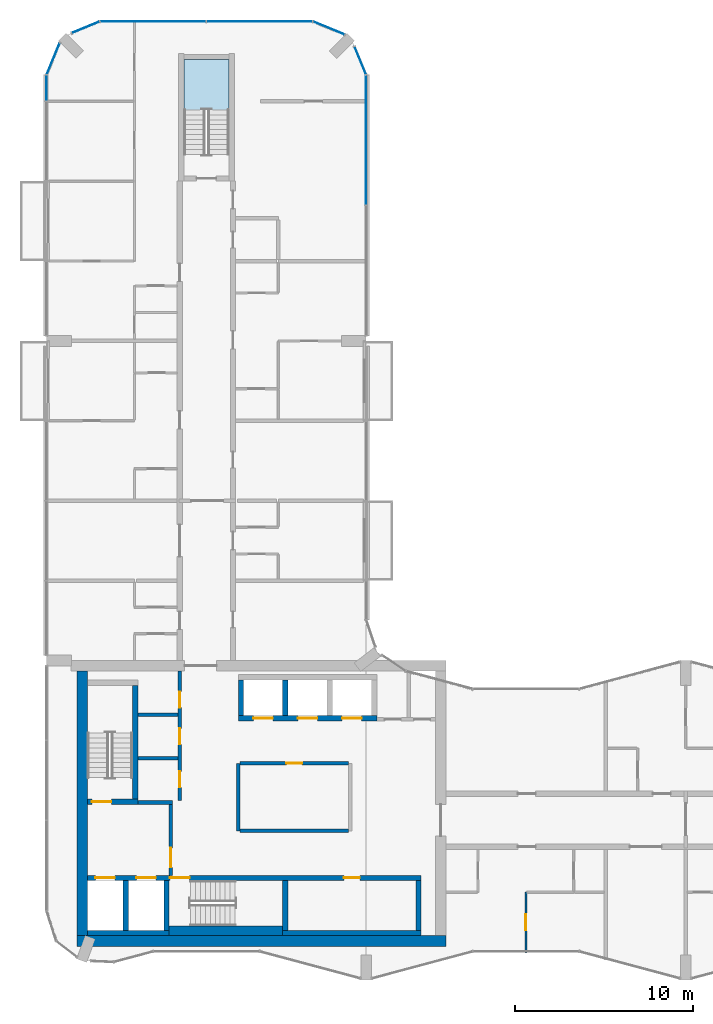
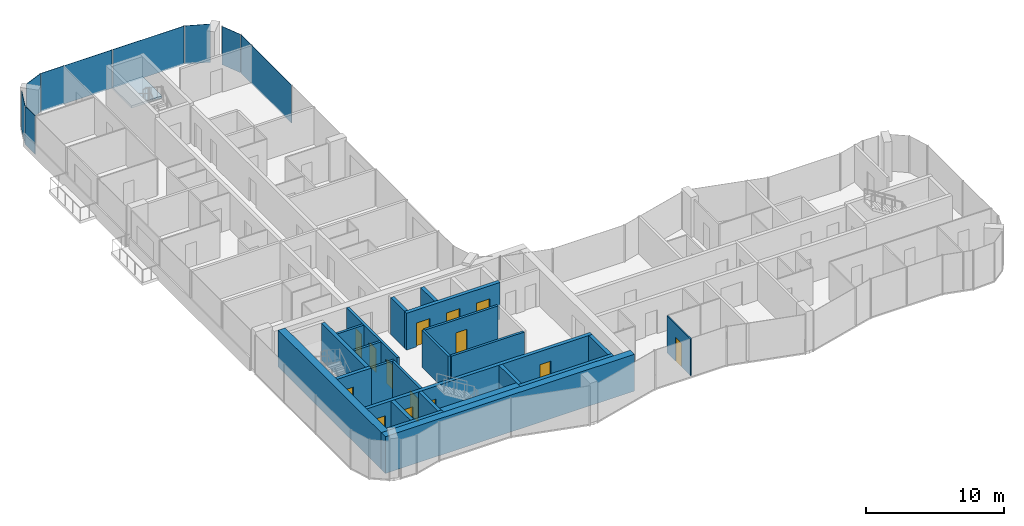
# One storey, part 9 of 15: 24 walls, 14 doors, 8 plates, 1 slab, 14 openings, 8 elements without a shape of their own.
"""IFC4 building model written with IfcOpenShell, lengths in metres."""

from ifc_helpers import new_model, si_unit, direction, frame, frame_2d, origin, origin_2d, place, context, subcontext, project, spatial, polyline, rectangle, outline, extrude, material, layer, layer_set, type_object, element, fill, aggregate, save


model = new_model("IFC4")

# Units and contexts
model_context = context("Model", 3, precision=1e-05, world=origin(), true_north=direction((0.0, 1.0)))
body_context = subcontext(model_context, "Body", "Model", "MODEL_VIEW")
ifc_project = project(units=[si_unit("LENGTHUNIT", "METRE"), si_unit("AREAUNIT", "SQUARE_METRE"), si_unit("VOLUMEUNIT", "CUBIC_METRE"), si_unit("PLANEANGLEUNIT", "RADIAN"), si_unit("MASSUNIT", "GRAM", prefix="KILO")], contexts=[model_context])

# Site, building, storey
site_placement = place(None, origin())
site = spatial("IfcSite", under=ifc_project, at=site_placement, CompositionType="ELEMENT")
building_placement = place(site_placement, origin())
building = spatial("IfcBuilding", under=site, at=building_placement, Name="Plateau Cross Towers", CompositionType="ELEMENT")
storey_placement = place(building_placement, frame((0.0, 0.0, 149.89990234375)))
storey = spatial("IfcBuildingStorey", under=building, at=storey_placement, Name="L38", CompositionType="ELEMENT", Elevation=149.89990234375)

# Curtain wall, plate
ifc_material_1 = material(Name="Dark low-iron glass", Category="glass")
ifc_layer_1 = layer(ifc_material_1, 0.239990234375)
ifc_layer_set_1 = layer_set([ifc_layer_1], Name="Dark low-iron glass")
curtain_wall_type = type_object("IfcCurtainWallType", Name="Curtain wall flush unitised CW-B", PredefinedType="NOTDEFINED", material=ifc_layer_set_1)
curtain_wall_1_placement = place(storey_placement, origin())
curtain_wall_1 = element("IfcCurtainWall", 1, at=curtain_wall_1_placement, inside=storey, type_object=curtain_wall_type, Name="ENV/A/L38/A180_363", PredefinedType="NOTDEFINED")
ifc_layer_2 = layer(ifc_material_1, 0.031982421875)
ifc_layer_set_2 = layer_set([ifc_layer_2], Name="Dark low-iron glass")
plate_type = type_object("IfcPlateType", Name="Glass panel 32 flush unitised", PredefinedType="CURTAIN_PANEL", material=ifc_layer_set_2)
plate_1_placement = place(storey_placement, frame((18.0, 47.324951171875, -0.1298828125), z_axis=(0.0, 0.0, 1.0), x_axis=(0.0, 1.0, 0.0)))
plate_1 = element("IfcPlate", 2, at=plate_1_placement, type_object=plate_type, Name="CW-B panel 2", PredefinedType="CURTAIN_PANEL", context=body_context, shape_type="SweptSolid", body=[
    extrude(rectangle(XDim=7.2900390625, YDim=0.031982421875, at=origin_2d()), origin(), (0.0, 0.0, 1.0), 3.3798828125),
])
aggregate(curtain_wall_1, [plate_1])

curtain_wall_2_placement = place(storey_placement, origin())
curtain_wall_2 = element("IfcCurtainWall", 3, at=curtain_wall_2_placement, inside=storey, type_object=curtain_wall_type, Name="ENV/A/L38/A180_510", PredefinedType="NOTDEFINED")
plate_2_placement = place(storey_placement, frame((17.66943359375, 51.79833984375, -0.1298828125), z_axis=(0.0, 0.0, 1.0), x_axis=(-0.382683612978, 0.923879457699, 0.0)))
plate_2 = element("IfcPlate", 4, at=plate_2_placement, type_object=plate_type, Name="CW-B panel 1", PredefinedType="CURTAIN_PANEL", context=body_context, shape_type="SweptSolid", body=[
    extrude(rectangle(XDim=1.668212890625, YDim=0.031982421875, at=origin_2d()), origin(), (0.0, 0.0, 1.0), 3.3798828125),
])
aggregate(curtain_wall_2, [plate_2])

curtain_wall_3_placement = place(storey_placement, origin())
curtain_wall_3 = element("IfcCurtainWall", 5, at=curtain_wall_3_placement, inside=storey, type_object=curtain_wall_type, Name="ENV/A/L38/A168_533", PredefinedType="NOTDEFINED")
plate_3_placement = place(storey_placement, frame((15.90283203125, 53.6259765625, -0.1298828125), z_axis=(0.0, 0.0, 1.0), x_axis=(-0.923879457699, 0.382683612978, 0.0)))
plate_3 = element("IfcPlate", 6, at=plate_3_placement, type_object=plate_type, Name="CW-B panel 1", PredefinedType="CURTAIN_PANEL", context=body_context, shape_type="SweptSolid", body=[
    extrude(rectangle(XDim=1.894775390625, YDim=0.031982421875, at=origin_2d()), origin(), (0.0, 0.0, 1.0), 3.3798828125),
])
aggregate(curtain_wall_3, [plate_3])

# Curtain wall, plates
curtain_wall_4_placement = place(storey_placement, origin())
curtain_wall_4 = element("IfcCurtainWall", 7, at=curtain_wall_4_placement, inside=storey, type_object=curtain_wall_type, Name="ENV/A/L38/A150_540", PredefinedType="NOTDEFINED")
plate_4_placement = place(storey_placement, frame((12.0, 54.0, -0.1298828125), z_axis=(0.0, 0.0, 1.0), x_axis=(-1.0, 0.0, 0.0)))
plate_4 = element("IfcPlate", 8, at=plate_4_placement, type_object=plate_type, Name="CW-B panel 1", PredefinedType="CURTAIN_PANEL", context=body_context, shape_type="SweptSolid", body=[
    extrude(rectangle(XDim=5.93994140625, YDim=0.031982421875, at=origin_2d()), origin(), (0.0, 0.0, 1.0), 3.3798828125),
])
plate_5_placement = place(storey_placement, frame((6.0, 54.0, -0.1298828125), z_axis=(0.0, 0.0, 1.0), x_axis=(-1.0, 0.0, 0.0)))
plate_5 = element("IfcPlate", 9, at=plate_5_placement, type_object=plate_type, Name="CW-B panel 2", PredefinedType="CURTAIN_PANEL", context=body_context, shape_type="SweptSolid", body=[
    extrude(rectangle(XDim=5.93994140625, YDim=0.031982421875, at=origin_2d()), origin(), (0.0, 0.0, 1.0), 3.3798828125),
])
aggregate(curtain_wall_4, [plate_4, plate_5])

# Curtain wall, plate
curtain_wall_5_placement = place(storey_placement, origin())
curtain_wall_5 = element("IfcCurtainWall", 10, at=curtain_wall_5_placement, inside=storey, type_object=curtain_wall_type, Name="ENV/A/L38/A30_540", PredefinedType="NOTDEFINED")
plate_6_placement = place(storey_placement, frame((2.20166015625, 53.66943359375, -0.1298828125), z_axis=(0.0, 0.0, 1.0), x_axis=(-0.923879457699, -0.382683612978, 0.0)))
plate_6 = element("IfcPlate", 11, at=plate_6_placement, type_object=plate_type, Name="CW-B panel 1", PredefinedType="CURTAIN_PANEL", context=body_context, shape_type="SweptSolid", body=[
    extrude(rectangle(XDim=1.668212890625, YDim=0.031982421875, at=origin_2d()), origin(), (0.0, 0.0, 1.0), 3.3798828125),
])
aggregate(curtain_wall_5, [plate_6])

curtain_wall_6_placement = place(storey_placement, origin())
curtain_wall_6 = element("IfcCurtainWall", 12, at=curtain_wall_6_placement, inside=storey, type_object=curtain_wall_type, Name="ENV/A/L38/A7_528", PredefinedType="NOTDEFINED")
plate_7_placement = place(storey_placement, frame((0.3740234375, 51.90283203125, -0.1298828125), z_axis=(0.0, 0.0, 1.0), x_axis=(-0.382683612978, -0.923879457699, 0.0)))
plate_7 = element("IfcPlate", 13, at=plate_7_placement, type_object=plate_type, Name="CW-B panel 1", PredefinedType="CURTAIN_PANEL", context=body_context, shape_type="SweptSolid", body=[
    extrude(rectangle(XDim=1.894775390625, YDim=0.031982421875, at=origin_2d()), origin(), (0.0, 0.0, 1.0), 3.3798828125),
])
aggregate(curtain_wall_6, [plate_7])

curtain_wall_7_placement = place(storey_placement, origin())
curtain_wall_7 = element("IfcCurtainWall", 14, at=curtain_wall_7_placement, inside=storey, type_object=curtain_wall_type, Name="ENV/A/L38/A0_510", PredefinedType="NOTDEFINED")
plate_8_placement = place(storey_placement, frame((0.0, 50.25, -0.1298828125), z_axis=(0.0, 0.0, 1.0), x_axis=(0.0, -1.0, 0.0)))
plate_8 = element("IfcPlate", 15, at=plate_8_placement, type_object=plate_type, Name="CW-B panel 1", PredefinedType="CURTAIN_PANEL", context=body_context, shape_type="SweptSolid", body=[
    extrude(rectangle(XDim=1.43994140625, YDim=0.031982421875, at=origin_2d()), origin(), (0.0, 0.0, 1.0), 3.3798828125),
])
aggregate(curtain_wall_7, [plate_8])

# Stair, slab
ifc_material_2 = material(Name="Concrete C40/50", Category="concrete")
stair_type = type_object("IfcStairType", Name="ST-TWR", PredefinedType="HALF_TURN_STAIR", material=ifc_material_2)
stair_placement = place(storey_placement, origin())
stair = element("IfcStair", 16, at=stair_placement, inside=storey, type_object=stair_type, Name="L38 Protected Exit Stair N", PredefinedType="HALF_TURN_STAIR")
ifc_layer_3 = layer(ifc_material_2, 0.199951171875)
ifc_layer_set_3 = layer_set([ifc_layer_3], Name="Concrete C40/50")
slab_type = type_object("IfcSlabType", Name="SL-LANDING", PredefinedType="LANDING", material=ifc_layer_set_3)
slab_placement = place(storey_placement, frame((0.0, 0.0, 1.550048828125)))
slab = element("IfcSlab", 17, at=slab_placement, type_object=slab_type, Name="ES-N landing 1", PredefinedType="LANDING", context=body_context, shape_type="SweptSolid", body=[
    extrude(outline(polyline([(10.27490234375, 49.02001953125), (10.27490234375, 51.85009765625), (7.72509765625, 51.85009765625), (7.72509765625, 49.02001953125), (10.27490234375, 49.02001953125)])), origin(), (0.0, 0.0, 1.0), 0.199951171875),
])
aggregate(stair, [slab])

# Wall, opening, door
ifc_material_3 = material(Name="Concrete block, plastered both sides", Category="concrete")
ifc_layer_4 = layer(ifc_material_3, 0.199951171875)
ifc_layer_set_4 = layer_set([ifc_layer_4], Name="Concrete block, plastered both sides")
wall_type_1 = type_object("IfcWallType", Name="Core partition 200", PredefinedType="PARTITIONING", material=ifc_layer_set_4)
wall_1_placement = place(storey_placement, frame((7.0, 5.89990234375, 0.0), z_axis=(0.0, 0.0, 1.0), x_axis=(0.0, 1.0, 0.0)))
wall_1 = element("IfcWall", 18, at=wall_1_placement, inside=storey, type_object=wall_type_1, Name="Core partition", PredefinedType="PARTITIONING", context=body_context, shape_type="SweptSolid", body=[
    extrude(rectangle(XDim=4.0, YDim=0.199951171875, at=frame_2d((2.0, 0.0))), origin(), (0.0, 0.0, 1.0), 3.25),
])
opening_1_placement = place(wall_1_placement, frame((0.449951171875, 0.0, 0.0)))
opening_1 = element("IfcOpeningElement", 19, at=opening_1_placement, cuts=wall_1, Name="Opening FFD", PredefinedType="OPENING", context=body_context, shape_type="SweptSolid", body=[
    extrude(rectangle(XDim=1.10009765625, YDim=2.10009765625, at=frame_2d((0.550048828125, 1.050048828125))), frame((0.0, 0.10986328125, 0.0), z_axis=(0.0, -1.0, 0.0), x_axis=(1.0, 0.0, 0.0)), (0.0, 0.0, 1.0), 0.219970703125),
])
ifc_material_4 = material(Name="Steel, fire-resisting leaf", Category="steel")
door_type_1 = type_object("IfcDoorType", Name="Firefighting lobby door 1100", OperationType="NOTDEFINED", PredefinedType="DOOR", material=ifc_material_4)
door_1_placement = place(opening_1_placement, origin())
door_1 = element("IfcDoor", 20, at=door_1_placement, inside=storey, type_object=door_type_1, Name="Firefighting lobby door FFD", OperationType="SINGLE_SWING_LEFT", OverallHeight=2.10009765625, OverallWidth=1.10009765625, PredefinedType="DOOR", context=body_context, shape_type="SweptSolid", body=[
    extrude(rectangle(XDim=1.10009765625, YDim=2.10009765625, at=frame_2d((0.550048828125, 1.050048828125))), frame((0.0, 0.02490234375, 0.0), z_axis=(0.0, -1.0, 0.0), x_axis=(1.0, 0.0, 0.0)), (0.0, 0.0, 1.0), 0.050048828125),
])
fill(opening_1, door_1)

# Walls
wall_2_placement = place(storey_placement, frame((5.14990234375, 10.0, 0.0), z_axis=(0.0, 0.0, 1.0), x_axis=(1.0, 0.0, 0.0)))
element("IfcWall", 21, at=wall_2_placement, inside=storey, type_object=wall_type_1, Name="Core partition", PredefinedType="PARTITIONING", context=body_context, shape_type="SweptSolid", body=[
    extrude(rectangle(XDim=1.9501953125, YDim=0.199951171875, at=frame_2d((0.97509765625, 0.0))), origin(), (0.0, 0.0, 1.0), 3.25),
])
wall_3_placement = place(storey_placement, frame((10.800048828125, 8.39990234375, 0.0), z_axis=(0.0, 0.0, 1.0), x_axis=(0.0, 1.0, 0.0)))
element("IfcWall", 22, at=wall_3_placement, inside=storey, type_object=wall_type_1, Name="Core partition", PredefinedType="PARTITIONING", context=body_context, shape_type="SweptSolid", body=[
    extrude(rectangle(XDim=3.800048828125, YDim=0.199951171875, at=frame_2d((1.89990234375, 0.0))), origin(), (0.0, 0.0, 1.0), 3.25),
])
wall_4_placement = place(storey_placement, frame((10.89990234375, 8.39990234375, 0.0), z_axis=(0.0, 0.0, 1.0), x_axis=(1.0, 0.0, 0.0)))
element("IfcWall", 23, at=wall_4_placement, inside=storey, type_object=wall_type_1, Name="Core partition", PredefinedType="PARTITIONING", context=body_context, shape_type="SweptSolid", body=[
    extrude(rectangle(XDim=6.10009765625, YDim=0.199951171875, at=frame_2d((3.050048828125, 0.0))), origin(), (0.0, 0.0, 1.0), 3.25),
])

# Wall, opening, door
wall_5_placement = place(storey_placement, frame((10.89990234375, 12.199951171875, 0.0), z_axis=(0.0, 0.0, 1.0), x_axis=(1.0, 0.0, 0.0)))
wall_5 = element("IfcWall", 24, at=wall_5_placement, inside=storey, type_object=wall_type_1, Name="Core partition", PredefinedType="PARTITIONING", context=body_context, shape_type="SweptSolid", body=[
    extrude(rectangle(XDim=6.10009765625, YDim=0.199951171875, at=frame_2d((3.050048828125, 0.0))), origin(), (0.0, 0.0, 1.0), 3.25),
])
opening_2_placement = place(wall_5_placement, frame((2.60009765625, 0.0, 0.0)))
opening_2 = element("IfcOpeningElement", 25, at=opening_2_placement, cuts=wall_5, Name="Opening RD1", PredefinedType="OPENING", context=body_context, shape_type="SweptSolid", body=[
    extrude(rectangle(XDim=0.89990234375, YDim=2.10009765625, at=frame_2d((0.449951171875, 1.050048828125))), frame((0.0, 0.10986328125, 0.0), z_axis=(0.0, -1.0, 0.0), x_axis=(1.0, 0.0, 0.0)), (0.0, 0.0, 1.0), 0.219970703125),
])
ifc_material_5 = material(Name="Timber, fire-resisting leaf", Category="wood")
door_type_2 = type_object("IfcDoorType", Name="Core service door 900", OperationType="NOTDEFINED", PredefinedType="DOOR", material=ifc_material_5)
door_2_placement = place(opening_2_placement, origin())
door_2 = element("IfcDoor", 26, at=door_2_placement, inside=storey, type_object=door_type_2, Name="Core service door RD1", OperationType="SINGLE_SWING_LEFT", OverallHeight=2.10009765625, OverallWidth=0.89990234375, PredefinedType="DOOR", context=body_context, shape_type="SweptSolid", body=[
    extrude(rectangle(XDim=0.89990234375, YDim=2.10009765625, at=frame_2d((0.449951171875, 1.050048828125))), frame((0.0, 0.02490234375, 0.0), z_axis=(0.0, -1.0, 0.0), x_axis=(1.0, 0.0, 0.0)), (0.0, 0.0, 1.0), 0.050048828125),
])
fill(opening_2, door_2)

# Wall, openings, doors
wall_6_placement = place(storey_placement, frame((7.5, 10.10009765625, 0.0), z_axis=(0.0, 0.0, 1.0), x_axis=(0.0, 1.0, 0.0)))
wall_6 = element("IfcWall", 27, at=wall_6_placement, inside=storey, type_object=wall_type_1, Name="Core partition", PredefinedType="PARTITIONING", context=body_context, shape_type="SweptSolid", body=[
    extrude(rectangle(XDim=7.2998046875, YDim=0.199951171875, at=frame_2d((3.64990234375, 0.0))), origin(), (0.0, 0.0, 1.0), 3.25),
])
opening_3_placement = place(wall_6_placement, frame((0.75, 0.0, 0.0)))
opening_3 = element("IfcOpeningElement", 28, at=opening_3_placement, cuts=wall_6, Name="Opening RD1", PredefinedType="OPENING", context=body_context, shape_type="SweptSolid", body=[
    extrude(rectangle(XDim=0.89990234375, YDim=2.10009765625, at=frame_2d((0.449951171875, 1.050048828125))), frame((0.0, 0.10986328125, 0.0), z_axis=(0.0, -1.0, 0.0), x_axis=(1.0, 0.0, 0.0)), (0.0, 0.0, 1.0), 0.219970703125),
])
opening_4_placement = place(wall_6_placement, frame((3.175048828125, 0.0, 0.0)))
opening_4 = element("IfcOpeningElement", 29, at=opening_4_placement, cuts=wall_6, Name="Opening RD1", PredefinedType="OPENING", context=body_context, shape_type="SweptSolid", body=[
    extrude(rectangle(XDim=0.89990234375, YDim=2.10009765625, at=frame_2d((0.449951171875, 1.050048828125))), frame((0.0, 0.10986328125, 0.0), z_axis=(0.0, -1.0, 0.0), x_axis=(1.0, 0.0, 0.0)), (0.0, 0.0, 1.0), 0.219970703125),
])
opening_5_placement = place(wall_6_placement, frame((5.25, 0.0, 0.0)))
opening_5 = element("IfcOpeningElement", 30, at=opening_5_placement, cuts=wall_6, Name="Opening RD1", PredefinedType="OPENING", context=body_context, shape_type="SweptSolid", body=[
    extrude(rectangle(XDim=0.89990234375, YDim=2.10009765625, at=frame_2d((0.449951171875, 1.050048828125))), frame((0.0, 0.10986328125, 0.0), z_axis=(0.0, -1.0, 0.0), x_axis=(1.0, 0.0, 0.0)), (0.0, 0.0, 1.0), 0.219970703125),
])
door_3_placement = place(opening_3_placement, origin())
door_3 = element("IfcDoor", 31, at=door_3_placement, inside=storey, type_object=door_type_2, Name="Core service door RD1", OperationType="SINGLE_SWING_RIGHT", OverallHeight=2.10009765625, OverallWidth=0.89990234375, PredefinedType="DOOR", context=body_context, shape_type="SweptSolid", body=[
    extrude(rectangle(XDim=0.89990234375, YDim=2.10009765625, at=frame_2d((0.449951171875, 1.050048828125))), frame((0.0, 0.02490234375, 0.0), z_axis=(0.0, -1.0, 0.0), x_axis=(1.0, 0.0, 0.0)), (0.0, 0.0, 1.0), 0.050048828125),
])
fill(opening_3, door_3)
door_4_placement = place(opening_4_placement, origin())
door_4 = element("IfcDoor", 32, at=door_4_placement, inside=storey, type_object=door_type_2, Name="Core service door RD1", OperationType="SINGLE_SWING_RIGHT", OverallHeight=2.10009765625, OverallWidth=0.89990234375, PredefinedType="DOOR", context=body_context, shape_type="SweptSolid", body=[
    extrude(rectangle(XDim=0.89990234375, YDim=2.10009765625, at=frame_2d((0.449951171875, 1.050048828125))), frame((0.0, 0.02490234375, 0.0), z_axis=(0.0, -1.0, 0.0), x_axis=(1.0, 0.0, 0.0)), (0.0, 0.0, 1.0), 0.050048828125),
])
fill(opening_4, door_4)
door_5_placement = place(opening_5_placement, origin())
door_5 = element("IfcDoor", 33, at=door_5_placement, inside=storey, type_object=door_type_2, Name="Core service door RD1", OperationType="SINGLE_SWING_RIGHT", OverallHeight=2.10009765625, OverallWidth=0.89990234375, PredefinedType="DOOR", context=body_context, shape_type="SweptSolid", body=[
    extrude(rectangle(XDim=0.89990234375, YDim=2.10009765625, at=frame_2d((0.449951171875, 1.050048828125))), frame((0.0, 0.02490234375, 0.0), z_axis=(0.0, -1.0, 0.0), x_axis=(1.0, 0.0, 0.0)), (0.0, 0.0, 1.0), 0.050048828125),
])
fill(opening_5, door_5)

# Walls
for number, where, z_axis, x_axis, name in (
    (34, (5.14990234375, 12.5, 0.0), (0.0, 0.0, 1.0), (1.0, 0.0, 0.0), "Core partition"),
    (35, (5.14990234375, 14.949951171875, 0.0), (0.0, 0.0, 1.0), (1.0, 0.0, 0.0), "Core partition"),
):
    element("IfcWall", number, at=place(storey_placement, frame(where, z_axis=z_axis, x_axis=x_axis)), inside=storey, type_object=wall_type_1, Name=name, PredefinedType="PARTITIONING", context=body_context, shape_type="SweptSolid", body=[
        extrude(rectangle(XDim=2.25, YDim=0.199951171875, at=frame_2d((1.125, 0.0))), origin(), (0.0, 0.0, 1.0), 3.25),
    ])
ifc_material_6 = material(Name="Concrete C60/75", Category="concrete")
ifc_layer_5 = layer(ifc_material_6, 0.300048828125)
ifc_layer_set_5 = layer_set([ifc_layer_5], Name="Concrete C60/75")
wall_type_2 = type_object("IfcWallType", Name="Core shaft wall 300", PredefinedType="SHEAR", material=ifc_layer_set_5)
wall_7_placement = place(storey_placement, frame((2.300048828125, 2.64990234375, 0.0), z_axis=(0.0, 0.0, 1.0), x_axis=(1.0, 0.0, 0.0)))
element("IfcWall", 36, at=wall_7_placement, inside=storey, type_object=wall_type_2, Name="A-sb-back1@L38", PredefinedType="SHEAR", context=body_context, shape_type="SweptSolid", body=[
    extrude(rectangle(XDim=4.599853515625, YDim=0.300048828125, at=frame_2d((2.2998046875, 0.0))), origin(), (0.0, 0.0, 1.0), 3.25),
])
wall_8_placement = place(storey_placement, frame((13.300048828125, 2.64990234375, 0.0), z_axis=(0.0, 0.0, 1.0), x_axis=(1.0, 0.0, 0.0)))
element("IfcWall", 37, at=wall_8_placement, inside=storey, type_object=wall_type_2, Name="A-sb-back3@L38", PredefinedType="SHEAR", context=body_context, shape_type="SweptSolid", body=[
    extrude(rectangle(XDim=7.800048828125, YDim=0.300048828125, at=frame_2d((3.89990234375, 0.0))), origin(), (0.0, 0.0, 1.0), 3.25),
])
for number, where, z_axis, x_axis, name in (
    (38, (4.449951171875, 2.800048828125, 0.0), (0.0, 0.0, 1.0), (0.0, 1.0, 0.0), "A-sb-v1@L38"),
    (39, (6.75, 2.800048828125, 0.0), (0.0, 0.0, 1.0), (0.0, 1.0, 0.0), "A-sb-v2@L38"),
    (40, (13.449951171875, 2.800048828125, 0.0), (0.0, 0.0, 1.0), (0.0, 1.0, 0.0), "A-sb-v3@L38"),
    (41, (20.949951171875, 2.800048828125, 0.0), (0.0, 0.0, 1.0), (0.0, 1.0, 0.0), "A-sb-v6@L38"),
):
    element("IfcWall", number, at=place(storey_placement, frame(where, z_axis=z_axis, x_axis=x_axis)), inside=storey, type_object=wall_type_2, Name=name, PredefinedType="SHEAR", context=body_context, shape_type="SweptSolid", body=[
        extrude(rectangle(XDim=2.800048828125, YDim=0.300048828125, at=frame_2d((1.39990234375, 0.0))), origin(), (0.0, 0.0, 1.0), 3.25),
    ])

# Wall, openings, doors
wall_9_placement = place(storey_placement, frame((2.300048828125, 5.75, 0.0), z_axis=(0.0, 0.0, 1.0), x_axis=(1.0, 0.0, 0.0)))
wall_9 = element("IfcWall", 42, at=wall_9_placement, inside=storey, type_object=wall_type_2, Name="A-sb-front@L38", PredefinedType="SHEAR", context=body_context, shape_type="SweptSolid", body=[
    extrude(rectangle(XDim=18.800048828125, YDim=0.300048828125, at=frame_2d((9.39990234375, 0.0))), origin(), (0.0, 0.0, 1.0), 3.25),
])
opening_6_placement = place(wall_9_placement, frame((4.64990234375, 0.0, 0.0)))
opening_6 = element("IfcOpeningElement", 43, at=opening_6_placement, cuts=wall_9, Name="Opening SD", PredefinedType="OPENING", context=body_context, shape_type="SweptSolid", body=[
    extrude(rectangle(XDim=1.10009765625, YDim=2.10009765625, at=frame_2d((0.550048828125, 1.050048828125))), frame((0.0, 0.159912109375, 0.0), z_axis=(0.0, -1.0, 0.0), x_axis=(1.0, 0.0, 0.0)), (0.0, 0.0, 1.0), 0.320068359375),
])
opening_7_placement = place(wall_9_placement, frame((0.449951171875, 0.0, 0.0)))
opening_7 = element("IfcOpeningElement", 44, at=opening_7_placement, cuts=wall_9, Name="Opening LD", PredefinedType="OPENING", context=body_context, shape_type="SweptSolid", body=[
    extrude(rectangle(XDim=1.10009765625, YDim=2.10009765625, at=frame_2d((0.550048828125, 1.050048828125))), frame((0.0, 0.159912109375, 0.0), z_axis=(0.0, -1.0, 0.0), x_axis=(1.0, 0.0, 0.0)), (0.0, 0.0, 1.0), 0.320068359375),
])
opening_8_placement = place(wall_9_placement, frame((2.75, 0.0, 0.0)))
opening_8 = element("IfcOpeningElement", 45, at=opening_8_placement, cuts=wall_9, Name="Opening LD", PredefinedType="OPENING", context=body_context, shape_type="SweptSolid", body=[
    extrude(rectangle(XDim=1.10009765625, YDim=2.10009765625, at=frame_2d((0.550048828125, 1.050048828125))), frame((0.0, 0.159912109375, 0.0), z_axis=(0.0, -1.0, 0.0), x_axis=(1.0, 0.0, 0.0)), (0.0, 0.0, 1.0), 0.320068359375),
])
opening_9_placement = place(wall_9_placement, frame((14.449951171875, 0.0, 0.0)))
opening_9 = element("IfcOpeningElement", 46, at=opening_9_placement, cuts=wall_9, Name="Opening RD2", PredefinedType="OPENING", context=body_context, shape_type="SweptSolid", body=[
    extrude(rectangle(XDim=0.89990234375, YDim=2.10009765625, at=frame_2d((0.449951171875, 1.050048828125))), frame((0.0, 0.159912109375, 0.0), z_axis=(0.0, -1.0, 0.0), x_axis=(1.0, 0.0, 0.0)), (0.0, 0.0, 1.0), 0.320068359375),
])
door_type_3 = type_object("IfcDoorType", Name="Core riser door 900", OperationType="NOTDEFINED", PredefinedType="DOOR", material=ifc_material_4)
door_6_placement = place(opening_9_placement, origin())
door_6 = element("IfcDoor", 47, at=door_6_placement, inside=storey, type_object=door_type_3, Name="Core riser door RD2", OperationType="SINGLE_SWING_LEFT", OverallHeight=2.10009765625, OverallWidth=0.89990234375, PredefinedType="DOOR", context=body_context, shape_type="SweptSolid", body=[
    extrude(rectangle(XDim=0.89990234375, YDim=2.10009765625, at=frame_2d((0.449951171875, 1.050048828125))), frame((0.0, 0.02490234375, 0.0), z_axis=(0.0, -1.0, 0.0), x_axis=(1.0, 0.0, 0.0)), (0.0, 0.0, 1.0), 0.050048828125),
])
fill(opening_9, door_6)
ifc_material_7 = material(Name="Stainless steel, fire-resisting sliding leaves", Category="steel")
door_type_4 = type_object("IfcDoorType", Name="Lift landing door 1100", OperationType="NOTDEFINED", PredefinedType="DOOR", material=ifc_material_7)
door_7_placement = place(opening_7_placement, origin())
door_7 = element("IfcDoor", 48, at=door_7_placement, inside=storey, type_object=door_type_4, Name="Lift landing door LD", OperationType="DOUBLE_DOOR_SLIDING", OverallHeight=2.10009765625, OverallWidth=1.10009765625, PredefinedType="DOOR", context=body_context, shape_type="SweptSolid", body=[
    extrude(rectangle(XDim=1.10009765625, YDim=2.10009765625, at=frame_2d((0.550048828125, 1.050048828125))), frame((0.0, 0.02490234375, 0.0), z_axis=(0.0, -1.0, 0.0), x_axis=(1.0, 0.0, 0.0)), (0.0, 0.0, 1.0), 0.050048828125),
])
fill(opening_7, door_7)
door_8_placement = place(opening_8_placement, origin())
door_8 = element("IfcDoor", 49, at=door_8_placement, inside=storey, type_object=door_type_4, Name="Lift landing door LD", OperationType="DOUBLE_DOOR_SLIDING", OverallHeight=2.10009765625, OverallWidth=1.10009765625, PredefinedType="DOOR", context=body_context, shape_type="SweptSolid", body=[
    extrude(rectangle(XDim=1.10009765625, YDim=2.10009765625, at=frame_2d((0.550048828125, 1.050048828125))), frame((0.0, 0.02490234375, 0.0), z_axis=(0.0, -1.0, 0.0), x_axis=(1.0, 0.0, 0.0)), (0.0, 0.0, 1.0), 0.050048828125),
])
fill(opening_8, door_8)
door_type_5 = type_object("IfcDoorType", Name="Stair door 1100", OperationType="NOTDEFINED", PredefinedType="DOOR", material=ifc_material_4)
door_9_placement = place(opening_6_placement, origin())
door_9 = element("IfcDoor", 50, at=door_9_placement, inside=storey, type_object=door_type_5, Name="Stair door SD", OperationType="SINGLE_SWING_LEFT", OverallHeight=2.10009765625, OverallWidth=1.10009765625, PredefinedType="DOOR", context=body_context, shape_type="SweptSolid", body=[
    extrude(rectangle(XDim=1.10009765625, YDim=2.10009765625, at=frame_2d((0.550048828125, 1.050048828125))), frame((0.0, 0.02490234375, 0.0), z_axis=(0.0, -1.0, 0.0), x_axis=(1.0, 0.0, 0.0)), (0.0, 0.0, 1.0), 0.050048828125),
])
fill(opening_6, door_9)

# Wall, opening, door
wall_10_placement = place(storey_placement, frame((2.300048828125, 10.050048828125, 0.0), z_axis=(0.0, 0.0, 1.0), x_axis=(1.0, 0.0, 0.0)))
wall_10 = element("IfcWall", 51, at=wall_10_placement, inside=storey, type_object=wall_type_2, Name="A-st1-S@L38", PredefinedType="SHEAR", context=body_context, shape_type="SweptSolid", body=[
    extrude(rectangle(XDim=2.849853515625, YDim=0.300048828125, at=frame_2d((1.4248046875, 0.0))), origin(), (0.0, 0.0, 1.0), 3.25),
])
opening_10_placement = place(wall_10_placement, frame((0.25, 0.0, 0.0)))
opening_10 = element("IfcOpeningElement", 52, at=opening_10_placement, cuts=wall_10, Name="Opening SD", PredefinedType="OPENING", context=body_context, shape_type="SweptSolid", body=[
    extrude(rectangle(XDim=1.10009765625, YDim=2.10009765625, at=frame_2d((0.550048828125, 1.050048828125))), frame((0.0, 0.159912109375, 0.0), z_axis=(0.0, -1.0, 0.0), x_axis=(1.0, 0.0, 0.0)), (0.0, 0.0, 1.0), 0.320068359375),
])
door_10_placement = place(opening_10_placement, origin())
door_10 = element("IfcDoor", 53, at=door_10_placement, inside=storey, type_object=door_type_5, Name="Stair door SD", OperationType="SINGLE_SWING_RIGHT", OverallHeight=2.10009765625, OverallWidth=1.10009765625, PredefinedType="DOOR", context=body_context, shape_type="SweptSolid", body=[
    extrude(rectangle(XDim=1.10009765625, YDim=2.10009765625, at=frame_2d((0.550048828125, 1.050048828125))), frame((0.0, 0.02490234375, 0.0), z_axis=(0.0, -1.0, 0.0), x_axis=(1.0, 0.0, 0.0)), (0.0, 0.0, 1.0), 0.050048828125),
])
fill(opening_10, door_10)

# Wall
wall_11_placement = place(storey_placement, frame((5.0, 10.199951171875, 0.0), z_axis=(0.0, 0.0, 1.0), x_axis=(0.0, 1.0, 0.0)))
element("IfcWall", 54, at=wall_11_placement, inside=storey, type_object=wall_type_2, Name="A-st1-E@L38", PredefinedType="SHEAR", context=body_context, shape_type="SweptSolid", body=[
    extrude(rectangle(XDim=6.400146484375, YDim=0.300048828125, at=frame_2d((3.2001953125, 0.0))), origin(), (0.0, 0.0, 1.0), 3.25),
])

# Wall, openings, doors
wall_12_placement = place(storey_placement, frame((10.800048828125, 14.75, 0.0), z_axis=(0.0, 0.0, 1.0), x_axis=(1.0, 0.0, 0.0)))
wall_12 = element("IfcWall", 55, at=wall_12_placement, inside=storey, type_object=wall_type_2, Name="A-nb-front@L38", PredefinedType="SHEAR", context=body_context, shape_type="SweptSolid", body=[
    extrude(rectangle(XDim=7.800048828125, YDim=0.300048828125, at=frame_2d((3.89990234375, 0.0))), origin(), (0.0, 0.0, 1.0), 3.25),
])
opening_11_placement = place(wall_12_placement, frame((0.85009765625, 0.0, 0.0)))
opening_11 = element("IfcOpeningElement", 56, at=opening_11_placement, cuts=wall_12, Name="Opening LD", PredefinedType="OPENING", context=body_context, shape_type="SweptSolid", body=[
    extrude(rectangle(XDim=1.10009765625, YDim=2.10009765625, at=frame_2d((0.550048828125, 1.050048828125))), frame((0.0, 0.159912109375, 0.0), z_axis=(0.0, -1.0, 0.0), x_axis=(1.0, 0.0, 0.0)), (0.0, 0.0, 1.0), 0.320068359375),
])
opening_12_placement = place(wall_12_placement, frame((3.35009765625, 0.0, 0.0)))
opening_12 = element("IfcOpeningElement", 57, at=opening_12_placement, cuts=wall_12, Name="Opening LD", PredefinedType="OPENING", context=body_context, shape_type="SweptSolid", body=[
    extrude(rectangle(XDim=1.10009765625, YDim=2.10009765625, at=frame_2d((0.550048828125, 1.050048828125))), frame((0.0, 0.159912109375, 0.0), z_axis=(0.0, -1.0, 0.0), x_axis=(1.0, 0.0, 0.0)), (0.0, 0.0, 1.0), 0.320068359375),
])
opening_13_placement = place(wall_12_placement, frame((5.85009765625, 0.0, 0.0)))
opening_13 = element("IfcOpeningElement", 58, at=opening_13_placement, cuts=wall_12, Name="Opening LD", PredefinedType="OPENING", context=body_context, shape_type="SweptSolid", body=[
    extrude(rectangle(XDim=1.10009765625, YDim=2.10009765625, at=frame_2d((0.550048828125, 1.050048828125))), frame((0.0, 0.159912109375, 0.0), z_axis=(0.0, -1.0, 0.0), x_axis=(1.0, 0.0, 0.0)), (0.0, 0.0, 1.0), 0.320068359375),
])
door_11_placement = place(opening_11_placement, origin())
door_11 = element("IfcDoor", 59, at=door_11_placement, inside=storey, type_object=door_type_4, Name="Lift landing door LD", OperationType="DOUBLE_DOOR_SLIDING", OverallHeight=2.10009765625, OverallWidth=1.10009765625, PredefinedType="DOOR", context=body_context, shape_type="SweptSolid", body=[
    extrude(rectangle(XDim=1.10009765625, YDim=2.10009765625, at=frame_2d((0.550048828125, 1.050048828125))), frame((0.0, 0.02490234375, 0.0), z_axis=(0.0, -1.0, 0.0), x_axis=(1.0, 0.0, 0.0)), (0.0, 0.0, 1.0), 0.050048828125),
])
fill(opening_11, door_11)
door_12_placement = place(opening_12_placement, origin())
door_12 = element("IfcDoor", 60, at=door_12_placement, inside=storey, type_object=door_type_4, Name="Lift landing door LD", OperationType="DOUBLE_DOOR_SLIDING", OverallHeight=2.10009765625, OverallWidth=1.10009765625, PredefinedType="DOOR", context=body_context, shape_type="SweptSolid", body=[
    extrude(rectangle(XDim=1.10009765625, YDim=2.10009765625, at=frame_2d((0.550048828125, 1.050048828125))), frame((0.0, 0.02490234375, 0.0), z_axis=(0.0, -1.0, 0.0), x_axis=(1.0, 0.0, 0.0)), (0.0, 0.0, 1.0), 0.050048828125),
])
fill(opening_12, door_12)
door_13_placement = place(opening_13_placement, origin())
door_13 = element("IfcDoor", 61, at=door_13_placement, inside=storey, type_object=door_type_4, Name="Lift landing door LD", OperationType="DOUBLE_DOOR_SLIDING", OverallHeight=2.10009765625, OverallWidth=1.10009765625, PredefinedType="DOOR", context=body_context, shape_type="SweptSolid", body=[
    extrude(rectangle(XDim=1.10009765625, YDim=2.10009765625, at=frame_2d((0.550048828125, 1.050048828125))), frame((0.0, 0.02490234375, 0.0), z_axis=(0.0, -1.0, 0.0), x_axis=(1.0, 0.0, 0.0)), (0.0, 0.0, 1.0), 0.050048828125),
])
fill(opening_13, door_13)

# Walls
for number, where, z_axis, x_axis, name in (
    (62, (10.949951171875, 14.89990234375, 0.0), (0.0, 0.0, 1.0), (0.0, 1.0, 0.0), "A-nb-v1@L38"),
    (63, (13.449951171875, 14.89990234375, 0.0), (0.0, 0.0, 1.0), (0.0, 1.0, 0.0), "A-nb-v2@L38"),
):
    element("IfcWall", number, at=place(storey_placement, frame(where, z_axis=z_axis, x_axis=x_axis)), inside=storey, type_object=wall_type_2, Name=name, PredefinedType="SHEAR", context=body_context, shape_type="SweptSolid", body=[
        extrude(rectangle(XDim=2.0, YDim=0.300048828125, at=frame_2d((1.0, 0.0))), origin(), (0.0, 0.0, 1.0), 3.25),
    ])
ifc_layer_6 = layer(ifc_material_6, 0.550048828125)
ifc_layer_set_6 = layer_set([ifc_layer_6], Name="Concrete C60/75")
wall_type_3 = type_object("IfcWallType", Name="Core shaft wall 550", PredefinedType="SHEAR", material=ifc_layer_set_6)
wall_13_placement = place(storey_placement, frame((6.89990234375, 2.77490234375, 0.0), z_axis=(0.0, 0.0, 1.0), x_axis=(1.0, 0.0, 0.0)))
element("IfcWall", 64, at=wall_13_placement, inside=storey, type_object=wall_type_3, Name="A-sb-back2@L38", PredefinedType="SHEAR", context=body_context, shape_type="SweptSolid", body=[
    extrude(rectangle(XDim=6.400146484375, YDim=0.550048828125, at=frame_2d((3.2001953125, 0.0))), origin(), (0.0, 0.0, 1.0), 3.25),
])
ifc_layer_7 = layer(ifc_material_6, 0.60009765625)
ifc_layer_set_7 = layer_set([ifc_layer_7], Name="Concrete C60/75")
wall_type_4 = type_object("IfcWallType", Name="Core shell wall 600", PredefinedType="SHEAR", material=ifc_layer_set_7)
wall_14_placement = place(storey_placement, frame((1.699951171875, 2.199951171875, 0.0), z_axis=(0.0, 0.0, 1.0), x_axis=(1.0, 0.0, 0.0)))
element("IfcWall", 65, at=wall_14_placement, inside=storey, type_object=wall_type_4, Name="A-core-S@L38", PredefinedType="SHEAR", context=body_context, shape_type="SweptSolid", body=[
    extrude(rectangle(XDim=20.800048828125, YDim=0.60009765625, at=frame_2d((10.39990234375, 0.0))), origin(), (0.0, 0.0, 1.0), 3.25),
])
wall_15_placement = place(storey_placement, frame((2.0, 2.5, 0.0), z_axis=(0.0, 0.0, 1.0), x_axis=(0.0, 1.0, 0.0)))
element("IfcWall", 66, at=wall_15_placement, inside=storey, type_object=wall_type_4, Name="A-core-W@L38", PredefinedType="SHEAR", context=body_context, shape_type="SweptSolid", body=[
    extrude(rectangle(XDim=14.89990234375, YDim=0.60009765625, at=frame_2d((7.449951171875, 0.0))), origin(), (0.0, 0.0, 1.0), 3.25),
])

# Wall, opening, door
ifc_material_8 = material(Name="Gypsum board on steel studs", Category="steel")
ifc_layer_8 = layer(ifc_material_8, 0.10009765625)
ifc_layer_set_8 = layer_set([ifc_layer_8], Name="Gypsum board on steel studs")
wall_type_5 = type_object("IfcWallType", Name="Flat partition 100", PredefinedType="PARTITIONING", material=ifc_layer_set_8)
wall_16_placement = place(storey_placement, frame((27.0, 4.949951171875, 0.0), z_axis=(0.0, 0.0, 1.0), x_axis=(0.0, -1.0, 0.0)))
wall_16 = element("IfcWall", 67, at=wall_16_placement, inside=storey, type_object=wall_type_5, Name="Partition wall", PredefinedType="PARTITIONING", context=body_context, shape_type="SweptSolid", body=[
    extrude(rectangle(XDim=3.423095703125, YDim=0.10009765625, at=frame_2d((1.71142578125, 0.0))), origin(), (0.0, 0.0, 1.0), 3.25),
])
opening_14_placement = place(wall_16_placement, frame((1.25, 0.0, 0.0)))
opening_14 = element("IfcOpeningElement", 68, at=opening_14_placement, cuts=wall_16, Name="Opening 38-24", PredefinedType="OPENING", context=body_context, shape_type="SweptSolid", body=[
    extrude(rectangle(XDim=0.89990234375, YDim=2.10009765625, at=frame_2d((0.449951171875, 1.050048828125))), frame((0.0, 0.06005859375, 0.0), z_axis=(0.0, -1.0, 0.0), x_axis=(1.0, 0.0, 0.0)), (0.0, 0.0, 1.0), 0.1201171875),
])
ifc_material_9 = material(Name="Timber leaf", Category="wood")
door_type_6 = type_object("IfcDoorType", Name="Flat room door 900", OperationType="NOTDEFINED", PredefinedType="DOOR", material=ifc_material_9)
door_14_placement = place(opening_14_placement, origin())
door_14 = element("IfcDoor", 69, at=door_14_placement, inside=storey, type_object=door_type_6, Name="Door 38-24", OperationType="SINGLE_SWING_LEFT", OverallHeight=2.10009765625, OverallWidth=0.89990234375, PredefinedType="DOOR", context=body_context, shape_type="SweptSolid", body=[
    extrude(rectangle(XDim=0.89990234375, YDim=2.10009765625, at=frame_2d((0.449951171875, 1.050048828125))), frame((0.0, 0.02490234375, 0.0), z_axis=(0.0, -1.0, 0.0), x_axis=(1.0, 0.0, 0.0)), (0.0, 0.0, 1.0), 0.050048828125),
])
fill(opening_14, door_14)

save(model, "model.ifc")
